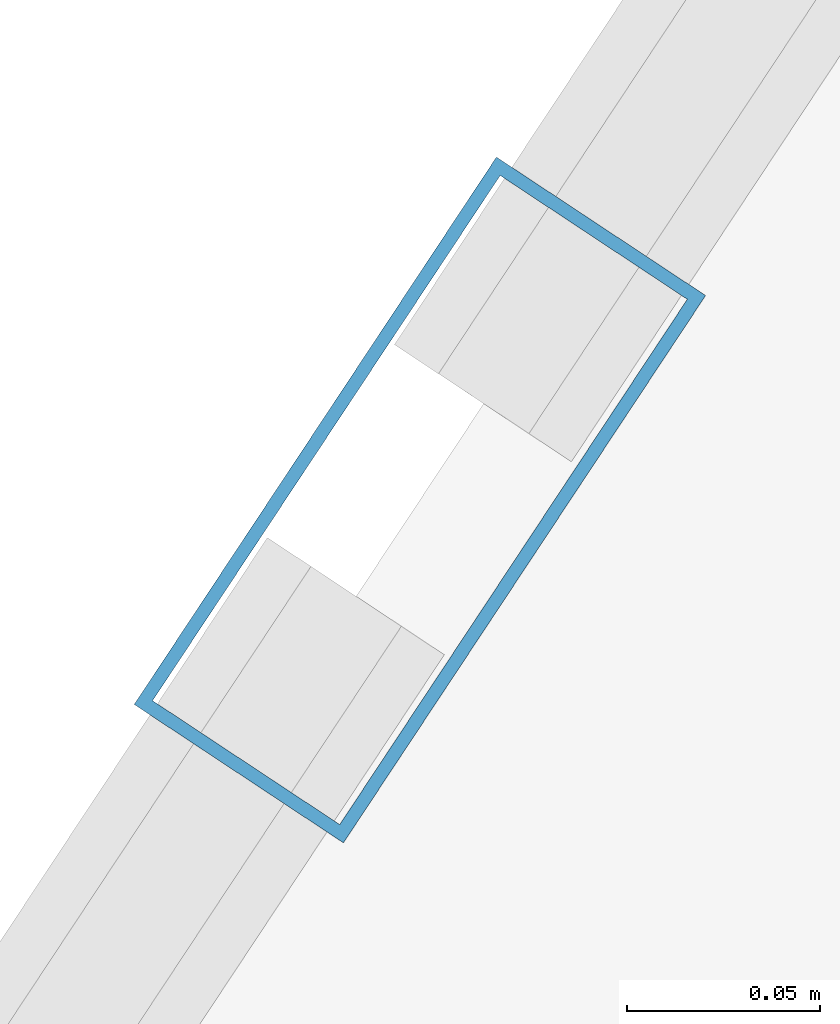
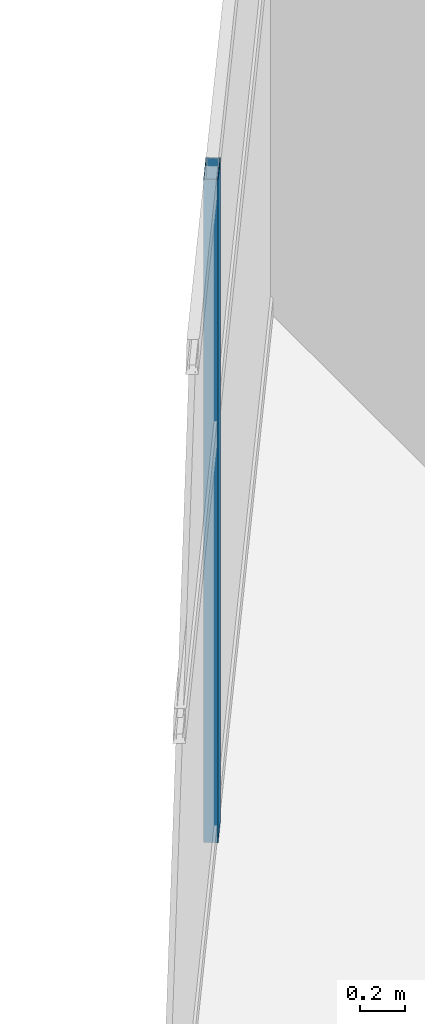
# One storey, part 13 of 28: 1 member, 1 element without a shape of its own.
"""IFC4 building model written with IfcOpenShell, lengths in metres."""

from ifc_helpers import new_model, si_unit, direction, frame, origin, origin_2d, place, context, subcontext, project, spatial, hollow_rectangle, extrude, material, layer, layer_set, material_profile, profile_set, type_object, element, aggregate, save


model = new_model("IFC4")

# Units and contexts
model_context = context("Model", 3, precision=1e-05, world=origin(), true_north=direction((0.0, 1.0)))
body_context = subcontext(model_context, "Body", "Model", "MODEL_VIEW")
ifc_project = project(units=[si_unit("LENGTHUNIT", "METRE"), si_unit("AREAUNIT", "SQUARE_METRE"), si_unit("VOLUMEUNIT", "CUBIC_METRE"), si_unit("PLANEANGLEUNIT", "RADIAN"), si_unit("MASSUNIT", "GRAM", prefix="KILO")], contexts=[model_context])

# Site, building, storey
site_placement = place(None, origin())
site = spatial("IfcSite", under=ifc_project, at=site_placement, CompositionType="ELEMENT")
building_placement = place(site_placement, origin())
building = spatial("IfcBuilding", under=site, at=building_placement, Name="Calvorn Quay Hotel", CompositionType="ELEMENT")
storey_placement = place(building_placement, frame((0.0, 0.0, 263.5)))
storey = spatial("IfcBuildingStorey", under=building, at=storey_placement, Name="L65", CompositionType="ELEMENT", Elevation=263.5)

# Curtain wall, member
ifc_material_1 = material(Name="Champagne Bronze Anodised Aluminium and Low-E Glass", Category="aluminium")
ifc_layer = layer(ifc_material_1, 0.219970703125)
ifc_layer_set = layer_set([ifc_layer], Name="CW-SYS-Z4")
curtain_wall_type = type_object("IfcCurtainWallType", Name="CW-SYS-Z4", PredefinedType="NOTDEFINED", material=ifc_layer_set)
curtain_wall_placement = place(storey_placement, origin())
curtain_wall = element("IfcCurtainWall", 1, at=curtain_wall_placement, inside=storey, type_object=curtain_wall_type, Name="Inner Court Curtain Wall L65-NE1", PredefinedType="NOTDEFINED")
ifc_material_2 = material(Name="Champagne Bronze Anodised Aluminium 6063-T6", Category="aluminium")
ifc_material_profile = material_profile(ifc_material_2, hollow_rectangle(XDim=0.06494140625, YDim=0.169921875, WallThickness=0.00341796875, at=origin_2d()), Name="ALU-M170x65x3.5")
ifc_profile_set = profile_set([ifc_material_profile], Name="Champagne Bronze Anodised Aluminium 6063-T6")
member_type = type_object("IfcMemberType", Name="CW-SYS-Z4-MUL", PredefinedType="MULLION", material=ifc_profile_set)
member_placement = place(storey_placement, frame((26.10009765625, 31.199951171875, 0.0), z_axis=(0.0, 0.0, 1.0), x_axis=(0.833932205724, -0.551866900852, 0.0)))
member = element("IfcMember", 2, at=member_placement, type_object=member_type, Name="CW-L65-NE1 mullion 2", PredefinedType="MULLION", context=body_context, shape_type="SweptSolid", body=[
    extrude(hollow_rectangle(XDim=0.06494140625, YDim=0.169921875, WallThickness=0.00341796875, at=origin_2d()), origin(), (0.0, 0.0, 1.0), 3.56005859375),
])
aggregate(curtain_wall, [member])

save(model, "model.ifc")
